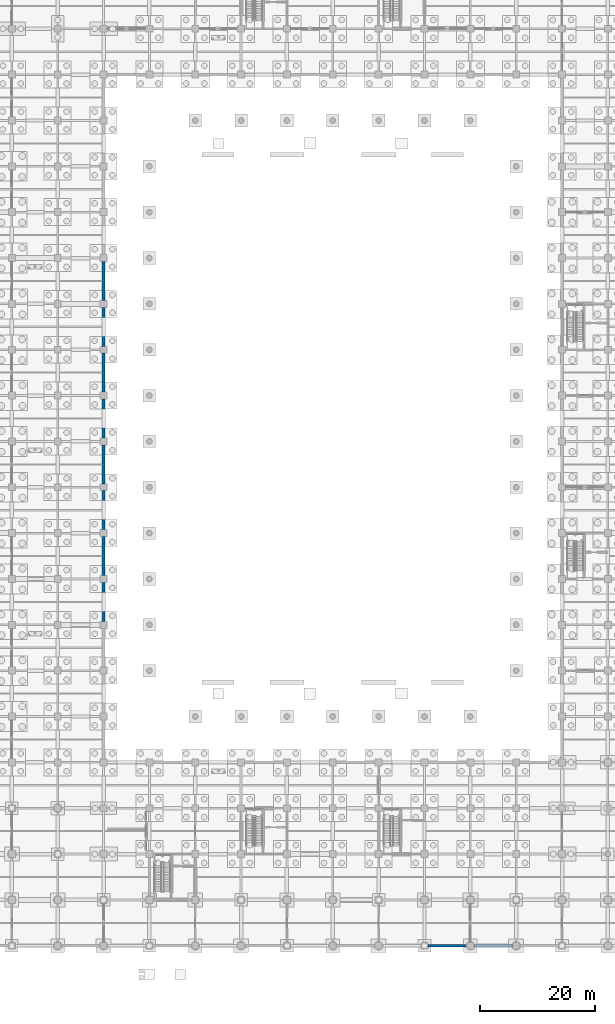
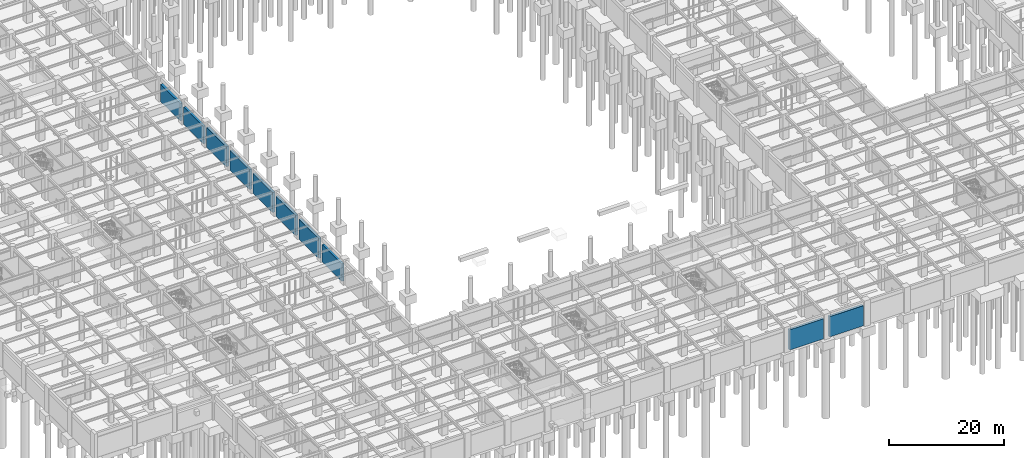
# One storey, part 73 of 97: 10 walls.
"""IFC4 building model written with IfcOpenShell, lengths in metres."""

from ifc_helpers import new_model, si_unit, direction, frame, frame_2d, origin, place, context, subcontext, project, spatial, rectangle, extrude, material, layer, layer_set, type_object, element, save


model = new_model("IFC4")

# Units and contexts
model_context = context("Model", 3, precision=1e-05, world=origin(), true_north=direction((0.0, 1.0)))
body_context = subcontext(model_context, "Body", "Model", "MODEL_VIEW")
ifc_project = project(units=[si_unit("LENGTHUNIT", "METRE"), si_unit("AREAUNIT", "SQUARE_METRE"), si_unit("VOLUMEUNIT", "CUBIC_METRE"), si_unit("PLANEANGLEUNIT", "RADIAN"), si_unit("MASSUNIT", "GRAM", prefix="KILO")], contexts=[model_context])

# Site, building, storey
site_placement = place(None, origin())
site = spatial("IfcSite", under=ifc_project, at=site_placement, CompositionType="ELEMENT")
building_placement = place(site_placement, origin())
building = spatial("IfcBuilding", under=site, at=building_placement, Name="Haebicheon Civic Stadium", CompositionType="ELEMENT")
storey_placement = place(building_placement, frame((0.0, 0.0, -5.39990234375)))
storey = spatial("IfcBuildingStorey", under=building, at=storey_placement, Name="B1", CompositionType="ELEMENT", Elevation=-5.39990234375)

# Walls
ifc_material_1 = material(Name="Concrete C40/50", Category="concrete")
ifc_layer_1 = layer(ifc_material_1, 0.4599609375, Name="Concrete C40/50")
ifc_layer_set_1 = layer_set([ifc_layer_1], Name="Concrete C40/50")
wall_type_1 = type_object("IfcWallType", Name="EW-RET-460", PredefinedType="STANDARD", material=ifc_layer_set_1)
wall_1_placement = place(storey_placement, frame((64.0, 56.60009765625, 0.0), z_axis=(0.0, 0.0, 1.0), x_axis=(0.0, 1.0, 0.0)))
element("IfcWall", 1, at=wall_1_placement, inside=storey, type_object=wall_type_1, material=ifc_layer_set_1, Name="B1 retaining wall 08-07-E", PredefinedType="STANDARD", context=body_context, shape_type="SweptSolid", body=[
    extrude(rectangle(XDim=6.7998046875, YDim=0.4599609375, at=frame_2d((3.39990234375, 0.0))), origin(), (0.0, 0.0, 1.0), 3.68994140625),
])
for number, where, z_axis, x_axis, name in (
    (2, (64.0, 72.60009765625, 0.0), (0.0, 0.0, 1.0), (0.0, 1.0, 0.0), "B1 retaining wall 08-09-E"),
    (3, (64.0, 88.60009765625, 0.0), (0.0, 0.0, 1.0), (0.0, 1.0, 0.0), "B1 retaining wall 08-11-E"),
):
    element("IfcWall", number, at=place(storey_placement, frame(where, z_axis=z_axis, x_axis=x_axis)), inside=storey, type_object=wall_type_1, material=ifc_layer_set_1, Name=name, PredefinedType="STANDARD", context=body_context, shape_type="SweptSolid", body=[
        extrude(rectangle(XDim=6.7998046875, YDim=0.4599609375, at=frame_2d((3.39990234375, 0.0))), origin(), (0.0, 0.0, 1.0), 4.239990234375),
    ])
wall_2_placement = place(storey_placement, frame((64.0, 104.60009765625, 0.0), z_axis=(0.0, 0.0, 1.0), x_axis=(0.0, 1.0, 0.0)))
element("IfcWall", 4, at=wall_2_placement, inside=storey, type_object=wall_type_1, material=ifc_layer_set_1, Name="B1 retaining wall 08-13-E", PredefinedType="STANDARD", context=body_context, shape_type="SweptSolid", body=[
    extrude(rectangle(XDim=6.7998046875, YDim=0.4599609375, at=frame_2d((3.39990234375, 0.0))), origin(), (0.0, 0.0, 1.0), 3.68994140625),
])
wall_3_placement = place(storey_placement, frame((120.60009765625, 0.0, 0.0), z_axis=(0.0, 0.0, 1.0), x_axis=(1.0, 0.0, 0.0)))
element("IfcWall", 5, at=wall_3_placement, inside=storey, type_object=wall_type_1, material=ifc_layer_set_1, Name="B1 retaining wall 15-00-S", PredefinedType="STANDARD", context=body_context, shape_type="SweptSolid", body=[
    extrude(rectangle(XDim=6.7998046875, YDim=0.4599609375, at=frame_2d((3.39990234375, 0.0))), origin(), (0.0, 0.0, 1.0), 4.289794921875),
])
ifc_material_2 = material(Name="Concrete C40/50", Category="concrete")
ifc_layer_2 = layer(ifc_material_2, 0.5, Name="Concrete C40/50")
ifc_layer_set_2 = layer_set([ifc_layer_2], Name="Concrete C40/50")
wall_type_2 = type_object("IfcWallType", Name="EW-RET-500", PredefinedType="STANDARD", material=ifc_layer_set_2)
for number, where, z_axis, x_axis, name in (
    (6, (64.0, 64.60009765625, 0.0), (0.0, 0.0, 1.0), (0.0, 1.0, 0.0), "B1 retaining wall 08-08-E"),
    (7, (64.0, 80.60009765625, 0.0), (0.0, 0.0, 1.0), (0.0, 1.0, 0.0), "B1 retaining wall 08-10-E"),
    (8, (64.0, 96.60009765625, 0.0), (0.0, 0.0, 1.0), (0.0, 1.0, 0.0), "B1 retaining wall 08-12-E"),
):
    element("IfcWall", number, at=place(storey_placement, frame(where, z_axis=z_axis, x_axis=x_axis)), inside=storey, type_object=wall_type_2, material=ifc_layer_set_2, Name=name, PredefinedType="STANDARD", context=body_context, shape_type="SweptSolid", body=[
        extrude(rectangle(XDim=6.7998046875, YDim=0.5, at=frame_2d((3.39990234375, 0.0))), origin(), (0.0, 0.0, 1.0), 4.239990234375),
    ])
wall_4_placement = place(storey_placement, frame((64.0, 112.60009765625, 0.0), z_axis=(0.0, 0.0, 1.0), x_axis=(0.0, 1.0, 0.0)))
element("IfcWall", 9, at=wall_4_placement, inside=storey, type_object=wall_type_2, material=ifc_layer_set_2, Name="B1 retaining wall 08-14-E", PredefinedType="STANDARD", context=body_context, shape_type="SweptSolid", body=[
    extrude(rectangle(XDim=6.7998046875, YDim=0.5, at=frame_2d((3.39990234375, 0.0))), origin(), (0.0, 0.0, 1.0), 3.68994140625),
])
wall_5_placement = place(storey_placement, frame((128.60009765625, 0.0, 0.0), z_axis=(0.0, 0.0, 1.0), x_axis=(1.0, 0.0, 0.0)))
element("IfcWall", 10, at=wall_5_placement, inside=storey, type_object=wall_type_2, material=ifc_layer_set_2, Name="B1 retaining wall 16-00-S", PredefinedType="STANDARD", context=body_context, shape_type="SweptSolid", body=[
    extrude(rectangle(XDim=6.7998046875, YDim=0.5, at=frame_2d((3.39990234375, 0.0))), origin(), (0.0, 0.0, 1.0), 4.289794921875),
])

save(model, "model.ifc")
